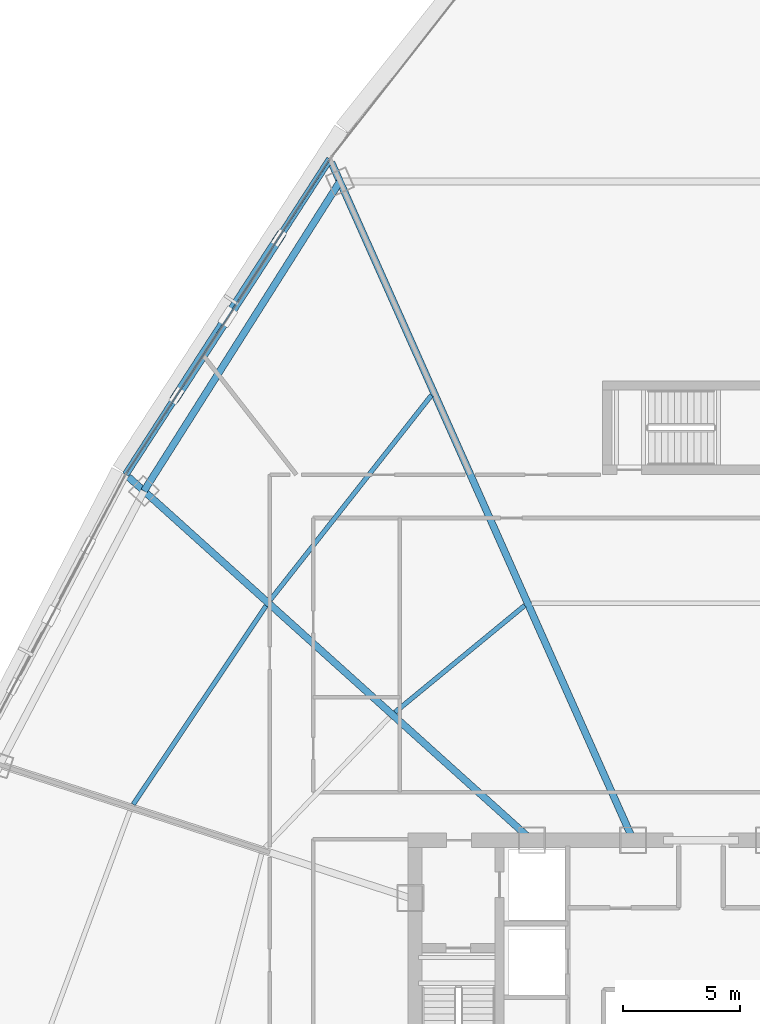
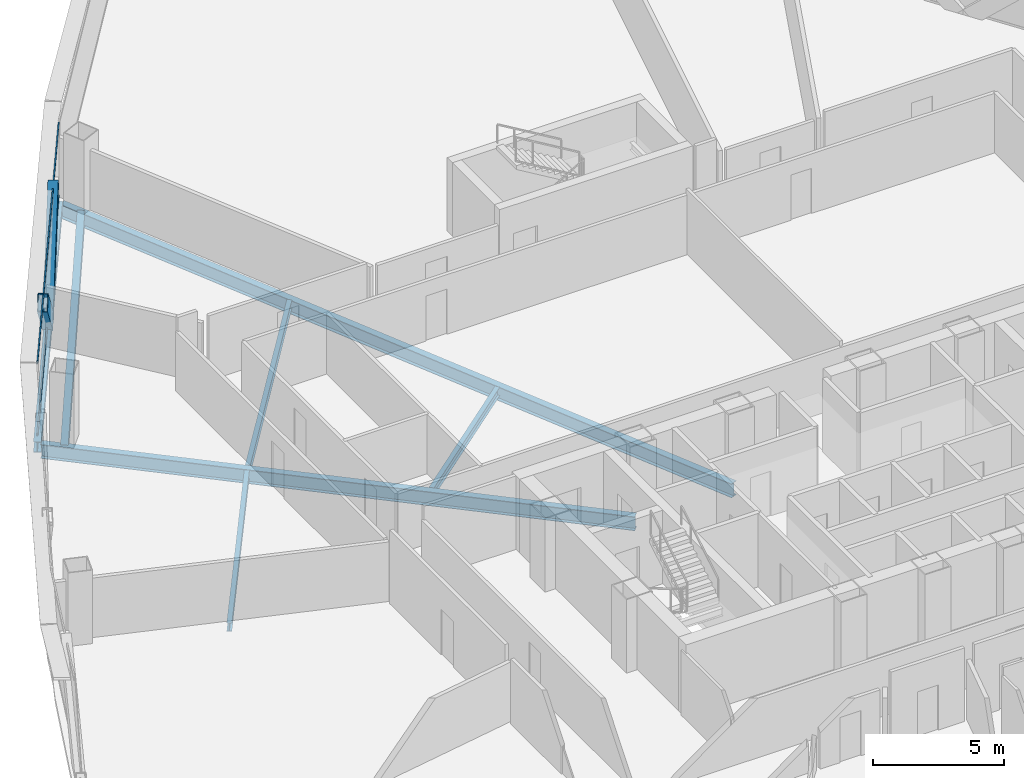
# One storey, part 17 of 39: 7 beams, 4 members, 1 element without a shape of its own.
"""IFC4 building model written with IfcOpenShell, lengths in metres."""

from ifc_helpers import new_model, si_unit, direction, frame, origin, origin_2d, place, context, subcontext, project, spatial, hollow_rectangle, i_section, extrude, source, transform, mapped, material, layer, layer_set, material_profile, profile_set, type_object, element, aggregate, save


model = new_model("IFC4")

# Units and contexts
model_context = context("Model", 3, precision=1e-05, world=origin(), true_north=direction((0.0, 1.0)))
body_context = subcontext(model_context, "Body", "Model", "MODEL_VIEW")
ifc_project = project(units=[si_unit("LENGTHUNIT", "METRE"), si_unit("AREAUNIT", "SQUARE_METRE"), si_unit("VOLUMEUNIT", "CUBIC_METRE"), si_unit("PLANEANGLEUNIT", "RADIAN"), si_unit("MASSUNIT", "GRAM", prefix="KILO"), si_unit("THERMODYNAMICTEMPERATUREUNIT", "KELVIN"), si_unit("POWERUNIT", "WATT")], contexts=[model_context])

# Site, building, storey
site_placement = place(None, origin())
site = spatial("IfcSite", under=ifc_project, at=site_placement, CompositionType="ELEMENT")
building_placement = place(site_placement, origin())
building = spatial("IfcBuilding", under=site, at=building_placement, Name="Yunzhuo Pagoda Commons", CompositionType="ELEMENT")
storey_placement = place(building_placement, frame((0.0, 0.0, 166.6298828125)))
storey = spatial("IfcBuildingStorey", under=building, at=storey_placement, Name="L42", CompositionType="ELEMENT", Elevation=166.6298828125)

# Beams
ifc_material_1 = material(Name="Structural steel Q355B", Category="steel")
ifc_material_profile_1 = material_profile(ifc_material_1, i_section(OverallWidth=0.199951171875, OverallDepth=0.39990234375, WebThickness=0.008056640625, FlangeThickness=0.012939453125, at=origin_2d()), Name="Structural steel Q355B")
ifc_profile_set_1 = profile_set([ifc_material_profile_1], Name="Structural steel Q355B")
beam_type_1 = type_object("IfcBeamType", Name="B-JS1 Joist HN 400x200x8x13", PredefinedType="JOIST", material=ifc_profile_set_1)
shared_shape_1 = source(origin(), body_context, "Body", "SweptSolid", [
    extrude(i_section(OverallWidth=0.199951171875, OverallDepth=0.39990234375, WebThickness=0.008056640625, FlangeThickness=0.012939453125, at=origin_2d()), origin(), (0.0, 0.0, 1.0), 10.186767578125),
])
beam_1_placement = place(storey_placement, frame((29.440673828125, 50.19921875, -0.4599609375), z_axis=(-0.555872145938, -0.831267801235, 0.0), x_axis=(0.831267801235, -0.555872145938, 0.0)))
element("IfcBeam", 1, at=beam_1_placement, inside=storey, type_object=beam_type_1, Name="L42 composite ring joist 2.10", PredefinedType="JOIST", context=body_context, shape_type="MappedRepresentation", body=[
    mapped(shared_shape_1, transform((0.0, 0.0, 0.0), scale=1.0)),
])
ifc_material_profile_2 = material_profile(ifc_material_1, i_section(OverallWidth=0.300048828125, OverallDepth=0.64990234375, WebThickness=0.012939453125, FlangeThickness=0.02197265625, at=origin_2d()), Name="Structural steel Q355B")
ifc_profile_set_2 = profile_set([ifc_material_profile_2], Name="Structural steel Q355B")
beam_type_2 = type_object("IfcBeamType", Name="B-RG2 Beam HN 650x300x13x22", PredefinedType="BEAM", material=ifc_profile_set_2)
shared_shape_2 = source(origin(), body_context, "Body", "SweptSolid", [
    extrude(i_section(OverallWidth=0.300048828125, OverallDepth=0.64990234375, WebThickness=0.012939453125, FlangeThickness=0.02197265625, at=origin_2d()), origin(), (0.0, 0.0, 1.0), 15.627685546875),
])
beam_2_placement = place(storey_placement, frame((32.593994140625, 68.302734375, -0.5849609375), z_axis=(-0.534952471728, -0.844882153316, 0.0), x_axis=(0.844882153316, -0.534952471728, 0.0)))
element("IfcBeam", 2, at=beam_2_placement, inside=storey, type_object=beam_type_2, Name="L42 column-ring beam 9", PredefinedType="BEAM", context=body_context, shape_type="MappedRepresentation", body=[
    mapped(shared_shape_2, transform((0.0, 0.0, 0.0), scale=1.0)),
])
shared_shape_3 = source(origin(), body_context, "Body", "SweptSolid", [
    extrude(i_section(OverallWidth=0.199951171875, OverallDepth=0.39990234375, WebThickness=0.008056640625, FlangeThickness=0.012939453125, at=origin_2d()), origin(), (0.0, 0.0, 1.0), 7.163818359375),
])
beam_3_placement = place(storey_placement, frame((40.47900390625, 50.21630859375, -0.4599609375), z_axis=(-0.772234119563, -0.635338071095, 0.0), x_axis=(0.635338071095, -0.772234119563, 0.0)))
element("IfcBeam", 3, at=beam_3_placement, inside=storey, type_object=beam_type_1, Name="L42 composite ring joist 1.9", PredefinedType="JOIST", context=body_context, shape_type="MappedRepresentation", body=[
    mapped(shared_shape_3, transform((0.0, 0.0, 0.0), scale=1.0)),
])
shared_shape_4 = source(origin(), body_context, "Body", "SweptSolid", [
    extrude(i_section(OverallWidth=0.199951171875, OverallDepth=0.39990234375, WebThickness=0.008056640625, FlangeThickness=0.012939453125, at=origin_2d()), origin(), (0.0, 0.0, 1.0), 11.109375),
])
beam_4_placement = place(storey_placement, frame((36.49951171875, 59.18505859375, -0.4599609375), z_axis=(-0.618600596935, -0.785705607382, 0.0), x_axis=(0.785705607382, -0.618600596935, 0.0)))
element("IfcBeam", 4, at=beam_4_placement, inside=storey, type_object=beam_type_1, Name="L42 composite ring joist 2.9", PredefinedType="JOIST", context=body_context, shape_type="MappedRepresentation", body=[
    mapped(shared_shape_4, transform((0.0, 0.0, 0.0), scale=1.0)),
])
shared_shape_5 = source(origin(), body_context, "Body", "SweptSolid", [
    extrude(i_section(OverallWidth=0.300048828125, OverallDepth=0.64990234375, WebThickness=0.012939453125, FlangeThickness=0.02197265625, at=origin_2d()), origin(), (0.0, 0.0, 1.0), 23.161376953125),
])
beam_5_placement = place(storey_placement, frame((23.56884765625, 55.697998046875, -0.5849609375), z_axis=(0.743141604671, -0.669134183409, 0.0), x_axis=(0.669134183409, 0.743141604671, 0.0)))
element("IfcBeam", 5, at=beam_5_placement, inside=storey, type_object=beam_type_2, Name="L42 radial floor girder F3C2", PredefinedType="BEAM", context=body_context, shape_type="MappedRepresentation", body=[
    mapped(shared_shape_5, transform((0.0, 0.0, 0.0), scale=1.0)),
])
shared_shape_6 = source(origin(), body_context, "Body", "SweptSolid", [
    extrude(i_section(OverallWidth=0.300048828125, OverallDepth=0.64990234375, WebThickness=0.012939453125, FlangeThickness=0.02197265625, at=origin_2d()), origin(), (0.0, 0.0, 1.0), 31.6572265625),
])
beam_6_placement = place(storey_placement, frame((32.229736328125, 69.120361328125, -0.5849609375), z_axis=(0.406737289237, -0.913545169953, 0.0), x_axis=(0.913545169953, 0.406737289237, 0.0)))
element("IfcBeam", 6, at=beam_6_placement, inside=storey, type_object=beam_type_2, Name="L42 radial floor girder F3C1", PredefinedType="BEAM", context=body_context, shape_type="MappedRepresentation", body=[
    mapped(shared_shape_6, transform((0.0, 0.0, 0.0), scale=1.0)),
])
ifc_material_profile_3 = material_profile(ifc_material_1, i_section(OverallWidth=0.300048828125, OverallDepth=0.488037109375, WebThickness=0.010986328125, FlangeThickness=0.01806640625, at=origin_2d()), Name="Structural steel Q355B")
ifc_profile_set_3 = profile_set([ifc_material_profile_3], Name="Structural steel Q355B")
beam_type_3 = type_object("IfcBeamType", Name="B-SP1 Beam HM 488x300x11x18", PredefinedType="BEAM", material=ifc_profile_set_3)
shared_shape_7 = source(origin(), body_context, "Body", "SweptSolid", [
    extrude(i_section(OverallWidth=0.300048828125, OverallDepth=0.488037109375, WebThickness=0.010986328125, FlangeThickness=0.01806640625, at=origin_2d()), origin(), (0.0, 0.0, 1.0), 16.0341796875),
])
beam_7_placement = place(storey_placement, frame((32.166748046875, 69.261962890625, -0.50390625), z_axis=(-0.543409101482, -0.83946801513, 0.0), x_axis=(0.83946801513, -0.543409101482, 0.0)))
element("IfcBeam", 7, at=beam_7_placement, inside=storey, type_object=beam_type_3, Name="L42 facade edge spandrel beam F3.1", PredefinedType="BEAM", context=body_context, shape_type="MappedRepresentation", body=[
    mapped(shared_shape_7, transform((0.0, 0.0, 0.0), scale=1.0)),
])

# Members
ifc_material_profile_4 = material_profile(ifc_material_1, hollow_rectangle(XDim=0.39990234375, YDim=0.719970703125, WallThickness=0.02392578125, at=origin_2d()), Name="Structural steel Q355B")
ifc_profile_set_4 = profile_set([ifc_material_profile_4], Name="Structural steel Q355B")
member_type_1 = type_object("IfcMemberType", Name="M-DL2 Brace BOX 720x400x24", PredefinedType="BRACE", material=ifc_profile_set_4)
shared_shape_8 = source(origin(), body_context, "Body", "SweptSolid", [
    extrude(hollow_rectangle(XDim=0.39990234375, YDim=0.719970703125, WallThickness=0.02392578125, at=origin_2d()), origin(), (0.0, 0.0, 1.0), 5.441650390625),
])
for number, where, z_axis, x_axis, name in (
    (8, (27.810302734375, 62.53173828125, -0.259765625), (0.400288527853, 0.618423791518, 0.676255209631), (-0.839488448366, 0.543377534556, 0.0), "L42 facade diamond brace F3.1L"),
    (9, (27.810302734375, 62.53173828125, -0.259765625), (-0.400337310388, -0.618384976923, 0.676261826682), (0.839442680853, -0.543448236324, 0.0), "L42 facade diamond brace F3.1R"),
):
    element("IfcMember", number, at=place(storey_placement, frame(where, z_axis=z_axis, x_axis=x_axis)), inside=storey, type_object=member_type_1, Name=name, PredefinedType="BRACE", context=body_context, shape_type="MappedRepresentation", body=[
        mapped(shared_shape_8, transform((0.0, 0.0, 0.0), scale=1.0)),
    ])

# Curtain wall, members
ifc_material_2 = material(Name="Anodized aluminium 6063-T6", Category="aluminium")
ifc_layer = layer(ifc_material_2, 0.14990234375)
ifc_layer_set = layer_set([ifc_layer], Name="Anodized aluminium 6063-T6")
curtain_wall_type = type_object("IfcCurtainWallType", Name="CW-MID Mid-Zone Ribbon Curtain Wall", PredefinedType="NOTDEFINED", material=ifc_layer_set)
curtain_wall_placement = place(storey_placement, origin())
curtain_wall = element("IfcCurtainWall", 10, at=curtain_wall_placement, inside=storey, type_object=curtain_wall_type, Name="L42 curtain wall CW-L42-F3B2", PredefinedType="NOTDEFINED")
ifc_material_profile_5 = material_profile(ifc_material_2, hollow_rectangle(XDim=0.054931640625, YDim=0.1298828125, WallThickness=0.00341796875, at=origin_2d()), Name="Anodized aluminium 6063-T6")
ifc_profile_set_5 = profile_set([ifc_material_profile_5], Name="Anodized aluminium 6063-T6")
member_type_2 = type_object("IfcMemberType", Name="CW-MID-T Transom RHS 130x55x3.5", PredefinedType="USERDEFINED", material=ifc_profile_set_5)
shared_shape_9 = source(origin(), body_context, "Body", "SweptSolid", [
    extrude(hollow_rectangle(XDim=0.054931640625, YDim=0.1298828125, WallThickness=0.00341796875, at=origin_2d()), origin(), (0.0, 0.0, 1.0), 15.914306640625),
])
member_1_placement = place(storey_placement, frame((32.13427734375, 69.21142578125, 0.027587890625), z_axis=(-0.543423646974, -0.839458599283, 0.0), x_axis=(0.839458599283, -0.543423646974, 0.0)))
member_1 = element("IfcMember", 11, at=member_1_placement, type_object=member_type_2, Name="CW transom 1.1", ObjectType="TRANSOM", PredefinedType="USERDEFINED", context=body_context, shape_type="MappedRepresentation", body=[
    mapped(shared_shape_9, transform((0.0, 0.0, 0.0), scale=1.0)),
])
member_2_placement = place(storey_placement, frame((32.13427734375, 69.21142578125, 3.392578125), z_axis=(-0.543423646974, -0.839458599283, 0.0), x_axis=(0.839458599283, -0.543423646974, 0.0)))
member_2 = element("IfcMember", 12, at=member_2_placement, type_object=member_type_2, Name="CW transom 1.2", ObjectType="TRANSOM", PredefinedType="USERDEFINED", context=body_context, shape_type="MappedRepresentation", body=[
    mapped(shared_shape_9, transform((0.0, 0.0, 0.0), scale=1.0)),
])
aggregate(curtain_wall, [member_1, member_2])

save(model, "model.ifc")
